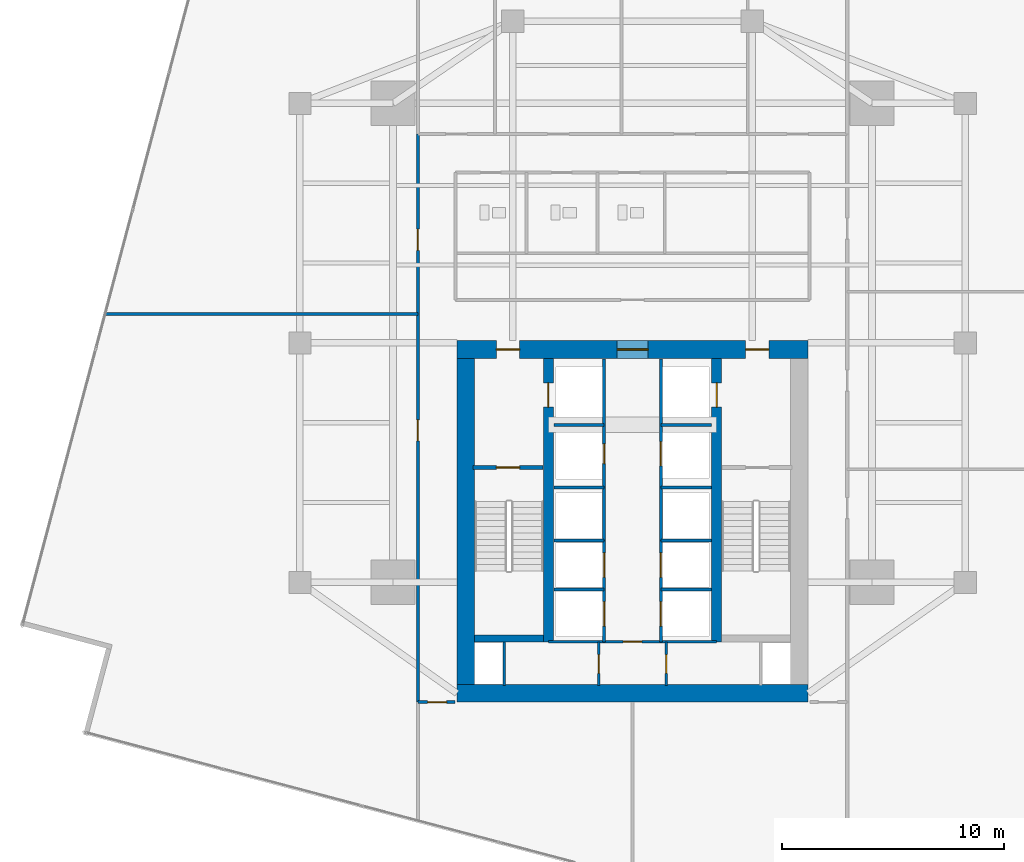
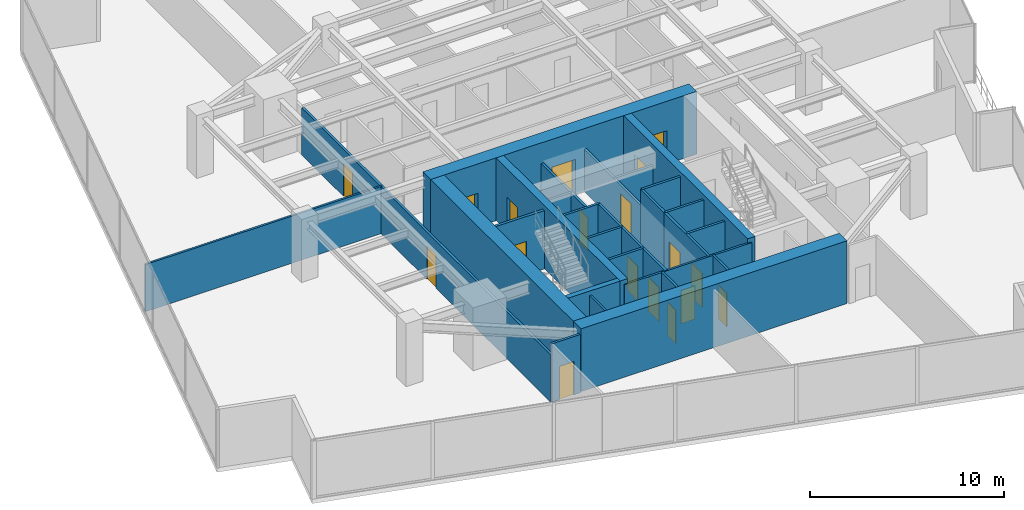
# One storey, part 23 of 27: 28 walls, 18 doors, 18 openings.
"""IFC4 building model written with IfcOpenShell, lengths in metres."""

from ifc_helpers import new_model, si_unit, direction, frame, frame_2d, origin, place, context, subcontext, project, spatial, rectangle, extrude, material, layer, layer_set, type_object, element, fill, save


model = new_model("IFC4")

# Units and contexts
model_context = context("Model", 3, precision=1e-05, world=origin(), true_north=direction((0.0, 1.0)))
body_context = subcontext(model_context, "Body", "Model", "MODEL_VIEW")
ifc_project = project(units=[si_unit("LENGTHUNIT", "METRE"), si_unit("AREAUNIT", "SQUARE_METRE"), si_unit("VOLUMEUNIT", "CUBIC_METRE"), si_unit("PLANEANGLEUNIT", "RADIAN"), si_unit("MASSUNIT", "GRAM", prefix="KILO")], contexts=[model_context])

# Site, building, storey
site_placement = place(None, origin())
site = spatial("IfcSite", under=ifc_project, at=site_placement, CompositionType="ELEMENT")
building_placement = place(site_placement, origin())
building = spatial("IfcBuilding", under=site, at=building_placement, Name="Krantzveldt Concourse Tower", CompositionType="ELEMENT")
storey_placement = place(building_placement, frame((0.0, 0.0, 105.85009765625)))
storey = spatial("IfcBuildingStorey", under=building, at=storey_placement, Name="L25", CompositionType="ELEMENT", Elevation=105.85009765625)

# Wall, opening, door
ifc_material_1 = material(Name="Fire-rated gypsum plasterboard on steel stud", Category="steel")
ifc_layer_1 = layer(ifc_material_1, 0.1201171875, Name="Fire-rated gypsum plasterboard on steel stud", Category="steel")
ifc_layer_set_1 = layer_set([ifc_layer_1], Name="Fire-rated gypsum plasterboard on steel stud (WL-PART-120)")
wall_type_1 = type_object("IfcWallType", Name="WL-PART-120", PredefinedType="PARTITIONING", material=ifc_layer_set_1)
wall_1_placement = place(storey_placement, frame((32.2099609375, 13.219970703125, 0.0), z_axis=(0.0, 0.0, 1.0), x_axis=(1.0, 0.0, 0.0)))
wall_1 = element("IfcWall", 1, at=wall_1_placement, inside=storey, type_object=wall_type_1, Name="WP-L25-CS2H", PredefinedType="PARTITIONING", context=body_context, shape_type="SweptSolid", body=[
    extrude(rectangle(XDim=7.580078125, YDim=0.1201171875, at=frame_2d((3.7900390625, 0.0))), origin(), (0.0, 0.0, 1.0), 3.669921875),
])
opening_1_placement = place(wall_1_placement, frame((3.364990234375, 0.0, 0.0)))
opening_1 = element("IfcOpeningElement", 2, at=opening_1_placement, cuts=wall_1, Name="Opening D-IN085", PredefinedType="OPENING", context=body_context, shape_type="SweptSolid", body=[
    extrude(rectangle(XDim=0.85009765625, YDim=2.10009765625, at=frame_2d((0.425048828125, 1.050048828125))), frame((0.0, 0.070068359375, 0.0), z_axis=(0.0, -1.0, 0.0), x_axis=(1.0, 0.0, 0.0)), (0.0, 0.0, 1.0), 0.14013671875),
])
ifc_material_2 = material(Name="Hardwood timber", Category="wood")
door_type_1 = type_object("IfcDoorType", Name="DR-INT-850", OperationType="SINGLE_SWING_LEFT", PredefinedType="DOOR", material=ifc_material_2)
door_1_placement = place(opening_1_placement, origin())
door_1 = element("IfcDoor", 3, at=door_1_placement, inside=storey, type_object=door_type_1, Name="DR-L25-LLBS", OperationType="SINGLE_SWING_RIGHT", OverallHeight=2.10009765625, OverallWidth=0.85009765625, PredefinedType="DOOR", context=body_context, shape_type="SweptSolid", body=[
    extrude(rectangle(XDim=0.85009765625, YDim=2.10009765625, at=frame_2d((0.425048828125, 1.050048828125))), frame((0.0, 0.02490234375, 0.0), z_axis=(0.0, -1.0, 0.0), x_axis=(1.0, 0.0, 0.0)), (0.0, 0.0, 1.0), 0.050048828125),
])
fill(opening_1, door_1)

wall_2_placement = place(storey_placement, frame((34.47998046875, 11.25, 0.0), z_axis=(0.0, 0.0, 1.0), x_axis=(0.0, 1.0, 0.0)))
wall_2 = element("IfcWall", 4, at=wall_2_placement, inside=storey, type_object=wall_type_1, Name="WP-L25-CSB-VL", PredefinedType="PARTITIONING", context=body_context, shape_type="SweptSolid", body=[
    extrude(rectangle(XDim=1.969970703125, YDim=0.1201171875, at=frame_2d((0.98486328125, 0.0))), origin(), (0.0, 0.0, 1.0), 3.669921875),
])
opening_2_placement = place(wall_2_placement, frame((0.544921875, 0.0, 0.0)))
opening_2 = element("IfcOpeningElement", 5, at=opening_2_placement, cuts=wall_2, Name="Opening D-IN085", PredefinedType="OPENING", context=body_context, shape_type="SweptSolid", body=[
    extrude(rectangle(XDim=0.85009765625, YDim=2.10009765625, at=frame_2d((0.425048828125, 1.050048828125))), frame((0.0, 0.070068359375, 0.0), z_axis=(0.0, -1.0, 0.0), x_axis=(1.0, 0.0, 0.0)), (0.0, 0.0, 1.0), 0.14013671875),
])
door_2_placement = place(opening_2_placement, origin())
door_2 = element("IfcDoor", 6, at=door_2_placement, inside=storey, type_object=door_type_1, Name="DR-L25-CSB1", OperationType="SINGLE_SWING_LEFT", OverallHeight=2.10009765625, OverallWidth=0.85009765625, PredefinedType="DOOR", context=body_context, shape_type="SweptSolid", body=[
    extrude(rectangle(XDim=0.85009765625, YDim=2.10009765625, at=frame_2d((0.425048828125, 1.050048828125))), frame((0.0, 0.02490234375, 0.0), z_axis=(0.0, -1.0, 0.0), x_axis=(1.0, 0.0, 0.0)), (0.0, 0.0, 1.0), 0.050048828125),
])
fill(opening_2, door_2)

wall_3_placement = place(storey_placement, frame((37.52001953125, 11.25, 0.0), z_axis=(0.0, 0.0, 1.0), x_axis=(0.0, 1.0, 0.0)))
wall_3 = element("IfcWall", 7, at=wall_3_placement, inside=storey, type_object=wall_type_1, Name="WP-L25-CSB-VR", PredefinedType="PARTITIONING", context=body_context, shape_type="SweptSolid", body=[
    extrude(rectangle(XDim=1.969970703125, YDim=0.1201171875, at=frame_2d((0.98486328125, 0.0))), origin(), (0.0, 0.0, 1.0), 3.669921875),
])
opening_3_placement = place(wall_3_placement, frame((0.544921875, 0.0, 0.0)))
opening_3 = element("IfcOpeningElement", 8, at=opening_3_placement, cuts=wall_3, Name="Opening D-IN085", PredefinedType="OPENING", context=body_context, shape_type="SweptSolid", body=[
    extrude(rectangle(XDim=0.85009765625, YDim=2.10009765625, at=frame_2d((0.425048828125, 1.050048828125))), frame((0.0, 0.070068359375, 0.0), z_axis=(0.0, -1.0, 0.0), x_axis=(1.0, 0.0, 0.0)), (0.0, 0.0, 1.0), 0.14013671875),
])
door_3_placement = place(opening_3_placement, origin())
door_3 = element("IfcDoor", 9, at=door_3_placement, inside=storey, type_object=door_type_1, Name="DR-L25-CSB2", OperationType="SINGLE_SWING_RIGHT", OverallHeight=2.10009765625, OverallWidth=0.85009765625, PredefinedType="DOOR", context=body_context, shape_type="SweptSolid", body=[
    extrude(rectangle(XDim=0.85009765625, YDim=2.10009765625, at=frame_2d((0.425048828125, 1.050048828125))), frame((0.0, 0.02490234375, 0.0), z_axis=(0.0, -1.0, 0.0), x_axis=(1.0, 0.0, 0.0)), (0.0, 0.0, 1.0), 0.050048828125),
])
fill(opening_3, door_3)

# Wall
wall_4_placement = place(storey_placement, frame((12.22705078125, 28.0, 0.0), z_axis=(0.0, 0.0, 1.0), x_axis=(1.0, 0.0, 0.0)))
element("IfcWall", 10, at=wall_4_placement, inside=storey, type_object=wall_type_1, Name="WP-L25-WD1", PredefinedType="PARTITIONING", context=body_context, shape_type="SweptSolid", body=[
    extrude(rectangle(XDim=14.093017578125, YDim=0.1201171875, at=frame_2d((7.04638671875, 0.0))), origin(), (0.0, 0.0, 1.0), 2.969970703125),
])

# Wall, openings, doors
ifc_layer_2 = layer(ifc_material_1, 0.139892578125, Name="Fire-rated gypsum plasterboard on steel stud", Category="steel")
ifc_layer_set_2 = layer_set([ifc_layer_2], Name="Fire-rated gypsum plasterboard on steel stud (WL-PART-140)")
wall_type_2 = type_object("IfcWallType", Name="WL-PART-140", PredefinedType="PARTITIONING", material=ifc_layer_set_2)
wall_5_placement = place(storey_placement, frame((26.320068359375, 10.5, 0.0), z_axis=(0.0, 0.0, 1.0), x_axis=(0.0, 1.0, 0.0)))
wall_5 = element("IfcWall", 11, at=wall_5_placement, inside=storey, type_object=wall_type_2, Name="WP-L25-CWEST", PredefinedType="PARTITIONING", context=body_context, shape_type="SweptSolid", body=[
    extrude(rectangle(XDim=25.6201171875, YDim=0.139892578125, at=frame_2d((12.81005859375, 0.0))), origin(), (0.0, 0.0, 1.0), 2.969970703125),
])
opening_4_placement = place(wall_5_placement, frame((11.77490234375, 0.0, 0.0)))
opening_4 = element("IfcOpeningElement", 12, at=opening_4_placement, cuts=wall_5, Name="Opening D-IN095", PredefinedType="OPENING", context=body_context, shape_type="SweptSolid", body=[
    extrude(rectangle(XDim=0.949951171875, YDim=2.10009765625, at=frame_2d((0.47509765625, 1.050048828125))), frame((0.0, 0.080078125, 0.0), z_axis=(0.0, -1.0, 0.0), x_axis=(1.0, 0.0, 0.0)), (0.0, 0.0, 1.0), 0.159912109375),
])
opening_5_placement = place(wall_5_placement, frame((20.375, 0.0, 0.0)))
opening_5 = element("IfcOpeningElement", 13, at=opening_5_placement, cuts=wall_5, Name="Opening D-IN095", PredefinedType="OPENING", context=body_context, shape_type="SweptSolid", body=[
    extrude(rectangle(XDim=0.949951171875, YDim=2.10009765625, at=frame_2d((0.47509765625, 1.050048828125))), frame((0.0, 0.080078125, 0.0), z_axis=(0.0, -1.0, 0.0), x_axis=(1.0, 0.0, 0.0)), (0.0, 0.0, 1.0), 0.159912109375),
])
door_type_2 = type_object("IfcDoorType", Name="DR-INT-950", OperationType="SINGLE_SWING_LEFT", PredefinedType="DOOR", material=ifc_material_2)
door_4_placement = place(opening_4_placement, origin())
door_4 = element("IfcDoor", 14, at=door_4_placement, inside=storey, type_object=door_type_2, Name="DR-L25-WR1", OperationType="SINGLE_SWING_LEFT", OverallHeight=2.10009765625, OverallWidth=0.949951171875, PredefinedType="DOOR", context=body_context, shape_type="SweptSolid", body=[
    extrude(rectangle(XDim=0.949951171875, YDim=2.10009765625, at=frame_2d((0.47509765625, 1.050048828125))), frame((0.0, 0.02490234375, 0.0), z_axis=(0.0, -1.0, 0.0), x_axis=(1.0, 0.0, 0.0)), (0.0, 0.0, 1.0), 0.050048828125),
])
fill(opening_4, door_4)
door_5_placement = place(opening_5_placement, origin())
door_5 = element("IfcDoor", 15, at=door_5_placement, inside=storey, type_object=door_type_2, Name="DR-L25-WR2", OperationType="SINGLE_SWING_LEFT", OverallHeight=2.10009765625, OverallWidth=0.949951171875, PredefinedType="DOOR", context=body_context, shape_type="SweptSolid", body=[
    extrude(rectangle(XDim=0.949951171875, YDim=2.10009765625, at=frame_2d((0.47509765625, 1.050048828125))), frame((0.0, 0.02490234375, 0.0), z_axis=(0.0, -1.0, 0.0), x_axis=(1.0, 0.0, 0.0)), (0.0, 0.0, 1.0), 0.050048828125),
])
fill(opening_5, door_5)

# Wall, opening, door
wall_6_placement = place(storey_placement, frame((26.320068359375, 10.5, 0.0), z_axis=(0.0, 0.0, 1.0), x_axis=(1.0, 0.0, 0.0)))
wall_6 = element("IfcWall", 16, at=wall_6_placement, inside=storey, type_object=wall_type_2, Name="WP-L25-CWBOT", PredefinedType="PARTITIONING", context=body_context, shape_type="SweptSolid", body=[
    extrude(rectangle(XDim=1.679931640625, YDim=0.139892578125, at=frame_2d((0.83984375, 0.0))), origin(), (0.0, 0.0, 1.0), 3.669921875),
])
opening_6_placement = place(wall_6_placement, frame((0.445068359375, 0.0, 0.0)))
opening_6 = element("IfcOpeningElement", 17, at=opening_6_placement, cuts=wall_6, Name="Opening D-IN085", PredefinedType="OPENING", context=body_context, shape_type="SweptSolid", body=[
    extrude(rectangle(XDim=0.85009765625, YDim=2.10009765625, at=frame_2d((0.425048828125, 1.050048828125))), frame((0.0, 0.080078125, 0.0), z_axis=(0.0, -1.0, 0.0), x_axis=(1.0, 0.0, 0.0)), (0.0, 0.0, 1.0), 0.159912109375),
])
door_6_placement = place(opening_6_placement, origin())
door_6 = element("IfcDoor", 18, at=door_6_placement, inside=storey, type_object=door_type_1, Name="DR-L25-SR1", OperationType="SINGLE_SWING_LEFT", OverallHeight=2.10009765625, OverallWidth=0.85009765625, PredefinedType="DOOR", context=body_context, shape_type="SweptSolid", body=[
    extrude(rectangle(XDim=0.85009765625, YDim=2.10009765625, at=frame_2d((0.425048828125, 1.050048828125))), frame((0.0, 0.02490234375, 0.0), z_axis=(0.0, -1.0, 0.0), x_axis=(1.0, 0.0, 0.0)), (0.0, 0.0, 1.0), 0.050048828125),
])
fill(opening_6, door_6)

ifc_layer_3 = layer(ifc_material_1, 0.139892578125, Name="Fire-rated gypsum plasterboard on steel stud", Category="steel")
ifc_layer_set_3 = layer_set([ifc_layer_3], Name="Fire-rated gypsum plasterboard on steel stud (WL-PART-FR140)")
wall_type_3 = type_object("IfcWallType", Name="WL-PART-FR140", PredefinedType="PARTITIONING", material=ifc_layer_set_3)
wall_7_placement = place(storey_placement, frame((34.719970703125, 20.199951171875, 0.0), z_axis=(0.0, 0.0, 1.0), x_axis=(0.0, 1.0, 0.0)))
wall_7 = element("IfcWall", 19, at=wall_7_placement, inside=storey, type_object=wall_type_3, Name="WP-L25-SHNW", PredefinedType="PARTITIONING", context=body_context, shape_type="SweptSolid", body=[
    extrude(rectangle(XDim=5.780029296875, YDim=0.139892578125, at=frame_2d((2.89013671875, 0.0))), origin(), (0.0, 0.0, 1.0), 2.669921875),
])
opening_7_placement = place(wall_7_placement, frame((1.050048828125, 0.0, 0.0)))
opening_7 = element("IfcOpeningElement", 20, at=opening_7_placement, cuts=wall_7, Name="Opening D-FD090", PredefinedType="OPENING", context=body_context, shape_type="SweptSolid", body=[
    extrude(rectangle(XDim=0.89990234375, YDim=2.10009765625, at=frame_2d((0.449951171875, 1.050048828125))), frame((0.0, 0.080078125, 0.0), z_axis=(0.0, -1.0, 0.0), x_axis=(1.0, 0.0, 0.0)), (0.0, 0.0, 1.0), 0.159912109375),
])
door_type_3 = type_object("IfcDoorType", Name="DR-FD60-900", OperationType="SINGLE_SWING_LEFT", PredefinedType="DOOR", material=ifc_material_2)
door_7_placement = place(opening_7_placement, origin())
door_7 = element("IfcDoor", 21, at=door_7_placement, inside=storey, type_object=door_type_3, Name="Electrical Riser Access Door L25", OperationType="SINGLE_SWING_LEFT", OverallHeight=2.10009765625, OverallWidth=0.89990234375, PredefinedType="DOOR", context=body_context, shape_type="SweptSolid", body=[
    extrude(rectangle(XDim=0.89990234375, YDim=2.10009765625, at=frame_2d((0.449951171875, 1.050048828125))), frame((0.0, 0.02490234375, 0.0), z_axis=(0.0, -1.0, 0.0), x_axis=(1.0, 0.0, 0.0)), (0.0, 0.0, 1.0), 0.050048828125),
])
fill(opening_7, door_7)

wall_8_placement = place(storey_placement, frame((37.280029296875, 20.199951171875, 0.0), z_axis=(0.0, 0.0, 1.0), x_axis=(0.0, 1.0, 0.0)))
wall_8 = element("IfcWall", 22, at=wall_8_placement, inside=storey, type_object=wall_type_3, Name="WP-L25-SHNE", PredefinedType="PARTITIONING", context=body_context, shape_type="SweptSolid", body=[
    extrude(rectangle(XDim=5.780029296875, YDim=0.139892578125, at=frame_2d((2.89013671875, 0.0))), origin(), (0.0, 0.0, 1.0), 2.669921875),
])
opening_8_placement = place(wall_8_placement, frame((0.949951171875, 0.0, 0.0)))
opening_8 = element("IfcOpeningElement", 23, at=opening_8_placement, cuts=wall_8, Name="Opening LD", PredefinedType="OPENING", context=body_context, shape_type="SweptSolid", body=[
    extrude(rectangle(XDim=1.10009765625, YDim=2.14990234375, at=frame_2d((0.550048828125, 1.074951171875))), frame((0.0, 0.080078125, 0.0), z_axis=(0.0, -1.0, 0.0), x_axis=(1.0, 0.0, 0.0)), (0.0, 0.0, 1.0), 0.159912109375),
])
ifc_material_3 = material(Name="Stainless steel 316L", Category="steel")
door_type_4 = type_object("IfcDoorType", Name="DR-SLIDE-LD1100", OperationType="DOUBLE_DOOR_SLIDING", PredefinedType="DOOR", material=ifc_material_3)
door_8_placement = place(opening_8_placement, origin())
door_8 = element("IfcDoor", 24, at=door_8_placement, inside=storey, type_object=door_type_4, Name="LD-L25-GL1", OperationType="DOUBLE_DOOR_SLIDING", OverallHeight=2.14990234375, OverallWidth=1.10009765625, PredefinedType="DOOR", context=body_context, shape_type="SweptSolid", body=[
    extrude(rectangle(XDim=1.10009765625, YDim=2.14990234375, at=frame_2d((0.550048828125, 1.074951171875))), frame((0.0, 0.02490234375, 0.0), z_axis=(0.0, -1.0, 0.0), x_axis=(1.0, 0.0, 0.0)), (0.0, 0.0, 1.0), 0.050048828125),
])
fill(opening_8, door_8)

# Walls
for number, where, z_axis, x_axis, name in (
    (25, (32.449951171875, 23.0, 0.0), (0.0, 0.0, 1.0), (1.0, 0.0, 0.0), "WP-L25-RISH"),
    (26, (37.280029296875, 23.0, 0.0), (0.0, 0.0, 1.0), (1.0, 0.0, 0.0), "WP-L25-GLH"),
):
    element("IfcWall", number, at=place(storey_placement, frame(where, z_axis=z_axis, x_axis=x_axis)), inside=storey, type_object=wall_type_3, Name=name, PredefinedType="PARTITIONING", context=body_context, shape_type="SweptSolid", body=[
        extrude(rectangle(XDim=2.27001953125, YDim=0.139892578125, at=frame_2d((1.135009765625, 0.0))), origin(), (0.0, 0.0, 1.0), 2.669921875),
    ])
for number, where, z_axis, x_axis, name in (
    (27, (34.719970703125, 17.780029296875, 0.0), (0.0, 0.0, 1.0), (0.0, 1.0, 0.0), "WP-L25-SHNW2"),
    (28, (37.280029296875, 17.780029296875, 0.0), (0.0, 0.0, 1.0), (0.0, 1.0, 0.0), "WP-L25-SHNE2"),
):
    element("IfcWall", number, at=place(storey_placement, frame(where, z_axis=z_axis, x_axis=x_axis)), inside=storey, type_object=wall_type_3, Name=name, PredefinedType="PARTITIONING", context=body_context, shape_type="SweptSolid", body=[
        extrude(rectangle(XDim=2.419921875, YDim=0.139892578125, at=frame_2d((1.2099609375, 0.0))), origin(), (0.0, 0.0, 1.0), 3.669921875),
    ])
for number, where, z_axis, x_axis, name in (
    (29, (32.449951171875, 17.780029296875, 0.0), (0.0, 0.0, 1.0), (1.0, 0.0, 0.0), "WP-L25-DIVW2"),
    (30, (32.449951171875, 20.179931640625, 0.0), (0.0, 0.0, 1.0), (1.0, 0.0, 0.0), "WP-L25-DIVW3"),
    (31, (37.280029296875, 17.780029296875, 0.0), (0.0, 0.0, 1.0), (1.0, 0.0, 0.0), "WP-L25-DIVE2"),
    (32, (37.280029296875, 20.179931640625, 0.0), (0.0, 0.0, 1.0), (1.0, 0.0, 0.0), "WP-L25-DIVE3"),
):
    element("IfcWall", number, at=place(storey_placement, frame(where, z_axis=z_axis, x_axis=x_axis)), inside=storey, type_object=wall_type_3, Name=name, PredefinedType="PARTITIONING", context=body_context, shape_type="SweptSolid", body=[
        extrude(rectangle(XDim=2.27001953125, YDim=0.139892578125, at=frame_2d((1.135009765625, 0.0))), origin(), (0.0, 0.0, 1.0), 3.669921875),
    ])

# Wall, openings, doors
wall_9_placement = place(storey_placement, frame((34.719970703125, 13.219970703125, 0.0), z_axis=(0.0, 0.0, 1.0), x_axis=(0.0, 1.0, 0.0)))
wall_9 = element("IfcWall", 33, at=wall_9_placement, inside=storey, type_object=wall_type_3, Name="WP-L25-SHSW", PredefinedType="PARTITIONING", context=body_context, shape_type="SweptSolid", body=[
    extrude(rectangle(XDim=4.56005859375, YDim=0.139892578125, at=frame_2d((2.280029296875, 0.0))), origin(), (0.0, 0.0, 1.0), 3.669921875),
])
opening_9_placement = place(wall_9_placement, frame((0.7099609375, 0.0, 0.0)))
opening_9 = element("IfcOpeningElement", 34, at=opening_9_placement, cuts=wall_9, Name="Opening LD", PredefinedType="OPENING", context=body_context, shape_type="SweptSolid", body=[
    extrude(rectangle(XDim=1.10009765625, YDim=2.14990234375, at=frame_2d((0.550048828125, 1.074951171875))), frame((0.0, 0.080078125, 0.0), z_axis=(0.0, -1.0, 0.0), x_axis=(1.0, 0.0, 0.0)), (0.0, 0.0, 1.0), 0.159912109375),
])
opening_10_placement = place(wall_9_placement, frame((2.909912109375, 0.0, 0.0)))
opening_10 = element("IfcOpeningElement", 35, at=opening_10_placement, cuts=wall_9, Name="Opening LD", PredefinedType="OPENING", context=body_context, shape_type="SweptSolid", body=[
    extrude(rectangle(XDim=1.10009765625, YDim=2.14990234375, at=frame_2d((0.550048828125, 1.074951171875))), frame((0.0, 0.080078125, 0.0), z_axis=(0.0, -1.0, 0.0), x_axis=(1.0, 0.0, 0.0)), (0.0, 0.0, 1.0), 0.159912109375),
])
door_9_placement = place(opening_9_placement, origin())
door_9 = element("IfcDoor", 36, at=door_9_placement, inside=storey, type_object=door_type_4, Name="LD-L25-PL1", OperationType="DOUBLE_DOOR_SLIDING", OverallHeight=2.14990234375, OverallWidth=1.10009765625, PredefinedType="DOOR", context=body_context, shape_type="SweptSolid", body=[
    extrude(rectangle(XDim=1.10009765625, YDim=2.14990234375, at=frame_2d((0.550048828125, 1.074951171875))), frame((0.0, 0.02490234375, 0.0), z_axis=(0.0, -1.0, 0.0), x_axis=(1.0, 0.0, 0.0)), (0.0, 0.0, 1.0), 0.050048828125),
])
fill(opening_9, door_9)
door_10_placement = place(opening_10_placement, origin())
door_10 = element("IfcDoor", 37, at=door_10_placement, inside=storey, type_object=door_type_4, Name="LD-L25-PL2", OperationType="DOUBLE_DOOR_SLIDING", OverallHeight=2.14990234375, OverallWidth=1.10009765625, PredefinedType="DOOR", context=body_context, shape_type="SweptSolid", body=[
    extrude(rectangle(XDim=1.10009765625, YDim=2.14990234375, at=frame_2d((0.550048828125, 1.074951171875))), frame((0.0, 0.02490234375, 0.0), z_axis=(0.0, -1.0, 0.0), x_axis=(1.0, 0.0, 0.0)), (0.0, 0.0, 1.0), 0.050048828125),
])
fill(opening_10, door_10)

# Wall
wall_10_placement = place(storey_placement, frame((32.449951171875, 15.580078125, 0.0), z_axis=(0.0, 0.0, 1.0), x_axis=(1.0, 0.0, 0.0)))
element("IfcWall", 38, at=wall_10_placement, inside=storey, type_object=wall_type_3, Name="WP-L25-DIVW1", PredefinedType="PARTITIONING", context=body_context, shape_type="SweptSolid", body=[
    extrude(rectangle(XDim=2.27001953125, YDim=0.139892578125, at=frame_2d((1.135009765625, 0.0))), origin(), (0.0, 0.0, 1.0), 3.669921875),
])

# Wall, openings, doors
wall_11_placement = place(storey_placement, frame((37.280029296875, 13.219970703125, 0.0), z_axis=(0.0, 0.0, 1.0), x_axis=(0.0, 1.0, 0.0)))
wall_11 = element("IfcWall", 39, at=wall_11_placement, inside=storey, type_object=wall_type_3, Name="WP-L25-SHSE", PredefinedType="PARTITIONING", context=body_context, shape_type="SweptSolid", body=[
    extrude(rectangle(XDim=4.56005859375, YDim=0.139892578125, at=frame_2d((2.280029296875, 0.0))), origin(), (0.0, 0.0, 1.0), 3.669921875),
])
opening_11_placement = place(wall_11_placement, frame((0.7099609375, 0.0, 0.0)))
opening_11 = element("IfcOpeningElement", 40, at=opening_11_placement, cuts=wall_11, Name="Opening LD", PredefinedType="OPENING", context=body_context, shape_type="SweptSolid", body=[
    extrude(rectangle(XDim=1.10009765625, YDim=2.14990234375, at=frame_2d((0.550048828125, 1.074951171875))), frame((0.0, 0.080078125, 0.0), z_axis=(0.0, -1.0, 0.0), x_axis=(1.0, 0.0, 0.0)), (0.0, 0.0, 1.0), 0.159912109375),
])
opening_12_placement = place(wall_11_placement, frame((2.909912109375, 0.0, 0.0)))
opening_12 = element("IfcOpeningElement", 41, at=opening_12_placement, cuts=wall_11, Name="Opening LD", PredefinedType="OPENING", context=body_context, shape_type="SweptSolid", body=[
    extrude(rectangle(XDim=1.10009765625, YDim=2.14990234375, at=frame_2d((0.550048828125, 1.074951171875))), frame((0.0, 0.080078125, 0.0), z_axis=(0.0, -1.0, 0.0), x_axis=(1.0, 0.0, 0.0)), (0.0, 0.0, 1.0), 0.159912109375),
])
door_11_placement = place(opening_11_placement, origin())
door_11 = element("IfcDoor", 42, at=door_11_placement, inside=storey, type_object=door_type_4, Name="LD-L25-PM1", OperationType="DOUBLE_DOOR_SLIDING", OverallHeight=2.14990234375, OverallWidth=1.10009765625, PredefinedType="DOOR", context=body_context, shape_type="SweptSolid", body=[
    extrude(rectangle(XDim=1.10009765625, YDim=2.14990234375, at=frame_2d((0.550048828125, 1.074951171875))), frame((0.0, 0.02490234375, 0.0), z_axis=(0.0, -1.0, 0.0), x_axis=(1.0, 0.0, 0.0)), (0.0, 0.0, 1.0), 0.050048828125),
])
fill(opening_11, door_11)
door_12_placement = place(opening_12_placement, origin())
door_12 = element("IfcDoor", 43, at=door_12_placement, inside=storey, type_object=door_type_4, Name="LD-L25-PM2", OperationType="DOUBLE_DOOR_SLIDING", OverallHeight=2.14990234375, OverallWidth=1.10009765625, PredefinedType="DOOR", context=body_context, shape_type="SweptSolid", body=[
    extrude(rectangle(XDim=1.10009765625, YDim=2.14990234375, at=frame_2d((0.550048828125, 1.074951171875))), frame((0.0, 0.02490234375, 0.0), z_axis=(0.0, -1.0, 0.0), x_axis=(1.0, 0.0, 0.0)), (0.0, 0.0, 1.0), 0.050048828125),
])
fill(opening_12, door_12)

# Walls
wall_12_placement = place(storey_placement, frame((37.280029296875, 15.580078125, 0.0), z_axis=(0.0, 0.0, 1.0), x_axis=(1.0, 0.0, 0.0)))
element("IfcWall", 44, at=wall_12_placement, inside=storey, type_object=wall_type_3, Name="WP-L25-DIVE1", PredefinedType="PARTITIONING", context=body_context, shape_type="SweptSolid", body=[
    extrude(rectangle(XDim=2.27001953125, YDim=0.139892578125, at=frame_2d((1.135009765625, 0.0))), origin(), (0.0, 0.0, 1.0), 3.669921875),
])
wall_13_placement = place(storey_placement, frame((30.219970703125, 11.25, 0.0), z_axis=(0.0, 0.0, 1.0), x_axis=(0.0, 1.0, 0.0)))
element("IfcWall", 45, at=wall_13_placement, inside=storey, type_object=wall_type_3, Name="WP-L25-RSW", PredefinedType="PARTITIONING", context=body_context, shape_type="SweptSolid", body=[
    extrude(rectangle(XDim=1.969970703125, YDim=0.1201171875, at=frame_2d((0.98486328125, 0.0))), origin(), (0.0, 0.0, 1.0), 3.669921875),
])

# Wall, opening, door
ifc_layer_4 = layer(ifc_material_1, 0.159912109375, Name="Fire-rated gypsum plasterboard on steel stud", Category="steel")
ifc_layer_set_4 = layer_set([ifc_layer_4], Name="Fire-rated gypsum plasterboard on steel stud (WL-PART-FR160)")
wall_type_4 = type_object("IfcWallType", Name="WL-PART-FR160", PredefinedType="PARTITIONING", material=ifc_layer_set_4)
wall_14_placement = place(storey_placement, frame((28.800048828125, 21.080078125, 0.0), z_axis=(0.0, 0.0, 1.0), x_axis=(1.0, 0.0, 0.0)))
wall_14 = element("IfcWall", 46, at=wall_14_placement, inside=storey, type_object=wall_type_4, Name="WP-L25-ST1", PredefinedType="PARTITIONING", context=body_context, shape_type="SweptSolid", body=[
    extrude(rectangle(XDim=3.159912109375, YDim=0.159912109375, at=frame_2d((1.580078125, 0.0))), origin(), (0.0, 0.0, 1.0), 3.669921875),
])
opening_13_placement = place(wall_14_placement, frame((1.054931640625, 0.0, 0.0)))
opening_13 = element("IfcOpeningElement", 47, at=opening_13_placement, cuts=wall_14, Name="Opening D-FD105", PredefinedType="OPENING", context=body_context, shape_type="SweptSolid", body=[
    extrude(rectangle(XDim=1.050048828125, YDim=2.10009765625, at=frame_2d((0.52490234375, 1.050048828125))), frame((0.0, 0.08984375, 0.0), z_axis=(0.0, -1.0, 0.0), x_axis=(1.0, 0.0, 0.0)), (0.0, 0.0, 1.0), 0.179931640625),
])
ifc_material_4 = material(Name="Galvanised steel", Category="steel")
door_type_5 = type_object("IfcDoorType", Name="DR-FD120-1050", OperationType="SINGLE_SWING_LEFT", PredefinedType="DOOR", material=ifc_material_4)
door_13_placement = place(opening_13_placement, origin())
door_13 = element("IfcDoor", 48, at=door_13_placement, inside=storey, type_object=door_type_5, Name="DR-L25-ST1", OperationType="SINGLE_SWING_RIGHT", OverallHeight=2.10009765625, OverallWidth=1.050048828125, PredefinedType="DOOR", context=body_context, shape_type="SweptSolid", body=[
    extrude(rectangle(XDim=1.050048828125, YDim=2.10009765625, at=frame_2d((0.52490234375, 1.050048828125))), frame((0.0, 0.02490234375, 0.0), z_axis=(0.0, -1.0, 0.0), x_axis=(1.0, 0.0, 0.0)), (0.0, 0.0, 1.0), 0.050048828125),
])
fill(opening_13, door_13)

# Wall
ifc_material_5 = material(Name="Concrete C50/60", Category="concrete")
ifc_layer_5 = layer(ifc_material_5, 0.300048828125, Name="Concrete C50/60", Category="concrete")
ifc_layer_set_5 = layer_set([ifc_layer_5], Name="Concrete C50/60 (WL-SHEAR-300)")
wall_type_5 = type_object("IfcWallType", Name="WL-SHEAR-300", PredefinedType="SHEAR", material=ifc_layer_set_5)
wall_15_placement = place(storey_placement, frame((28.8798828125, 13.3701171875, 0.0), z_axis=(0.0, 0.0, 1.0), x_axis=(1.0, 0.0, 0.0)))
element("IfcWall", 49, at=wall_15_placement, inside=storey, type_object=wall_type_5, Name="CW-L25-ST1S", PredefinedType="SHEAR", context=body_context, shape_type="SweptSolid", body=[
    extrude(rectangle(XDim=3.10009765625, YDim=0.300048828125, at=frame_2d((1.550048828125, 0.0))), origin(), (0.0, 0.0, 1.0), 3.949951171875),
])

# Wall, opening, door
ifc_layer_6 = layer(ifc_material_5, 0.449951171875, Name="Concrete C50/60", Category="concrete")
ifc_layer_set_6 = layer_set([ifc_layer_6], Name="Concrete C50/60 (WL-SHEAR-450)")
wall_type_6 = type_object("IfcWallType", Name="WL-SHEAR-450", PredefinedType="SHEAR", material=ifc_layer_set_6)
wall_16_placement = place(storey_placement, frame((32.205078125, 13.219970703125, 0.0), z_axis=(0.0, 0.0, 1.0), x_axis=(0.0, 1.0, 0.0)))
wall_16 = element("IfcWall", 50, at=wall_16_placement, inside=storey, type_object=wall_type_6, Name="CW-L25-IW", PredefinedType="SHEAR", context=body_context, shape_type="SweptSolid", body=[
    extrude(rectangle(XDim=12.780029296875, YDim=0.449951171875, at=frame_2d((6.39013671875, 0.0))), origin(), (0.0, 0.0, 1.0), 3.949951171875),
])
opening_14_placement = place(wall_16_placement, frame((10.580078125, 0.0, 0.0)))
opening_14 = element("IfcOpeningElement", 51, at=opening_14_placement, cuts=wall_16, Name="Opening LD", PredefinedType="OPENING", context=body_context, shape_type="SweptSolid", body=[
    extrude(rectangle(XDim=1.10009765625, YDim=2.14990234375, at=frame_2d((0.550048828125, 1.074951171875))), frame((0.0, 0.23486328125, 0.0), z_axis=(0.0, -1.0, 0.0), x_axis=(1.0, 0.0, 0.0)), (0.0, 0.0, 1.0), 0.469970703125),
])
door_14_placement = place(opening_14_placement, origin())
door_14 = element("IfcDoor", 52, at=door_14_placement, inside=storey, type_object=door_type_4, Name="LD-L25-FL1", OperationType="DOUBLE_DOOR_SLIDING", OverallHeight=2.14990234375, OverallWidth=1.10009765625, PredefinedType="DOOR", context=body_context, shape_type="SweptSolid", body=[
    extrude(rectangle(XDim=1.10009765625, YDim=2.14990234375, at=frame_2d((0.550048828125, 1.074951171875))), frame((0.0, 0.02490234375, 0.0), z_axis=(0.0, -1.0, 0.0), x_axis=(1.0, 0.0, 0.0)), (0.0, 0.0, 1.0), 0.050048828125),
])
fill(opening_14, door_14)

wall_17_placement = place(storey_placement, frame((39.794921875, 13.219970703125, 0.0), z_axis=(0.0, 0.0, 1.0), x_axis=(0.0, 1.0, 0.0)))
wall_17 = element("IfcWall", 53, at=wall_17_placement, inside=storey, type_object=wall_type_6, Name="CW-L25-IE", PredefinedType="SHEAR", context=body_context, shape_type="SweptSolid", body=[
    extrude(rectangle(XDim=12.780029296875, YDim=0.449951171875, at=frame_2d((6.39013671875, 0.0))), origin(), (0.0, 0.0, 1.0), 3.949951171875),
])
opening_15_placement = place(wall_17_placement, frame((10.580078125, 0.0, 0.0)))
opening_15 = element("IfcOpeningElement", 54, at=opening_15_placement, cuts=wall_17, Name="Opening LD", PredefinedType="OPENING", context=body_context, shape_type="SweptSolid", body=[
    extrude(rectangle(XDim=1.10009765625, YDim=2.14990234375, at=frame_2d((0.550048828125, 1.074951171875))), frame((0.0, 0.23486328125, 0.0), z_axis=(0.0, -1.0, 0.0), x_axis=(1.0, 0.0, 0.0)), (0.0, 0.0, 1.0), 0.469970703125),
])
door_15_placement = place(opening_15_placement, origin())
door_15 = element("IfcDoor", 55, at=door_15_placement, inside=storey, type_object=door_type_4, Name="LD-L25-FL2", OperationType="DOUBLE_DOOR_SLIDING", OverallHeight=2.14990234375, OverallWidth=1.10009765625, PredefinedType="DOOR", context=body_context, shape_type="SweptSolid", body=[
    extrude(rectangle(XDim=1.10009765625, YDim=2.14990234375, at=frame_2d((0.550048828125, 1.074951171875))), frame((0.0, 0.02490234375, 0.0), z_axis=(0.0, -1.0, 0.0), x_axis=(1.0, 0.0, 0.0)), (0.0, 0.0, 1.0), 0.050048828125),
])
fill(opening_15, door_15)

# Wall
ifc_material_6 = material(Name="Concrete C60/75", Category="concrete")
ifc_layer_7 = layer(ifc_material_6, 0.800048828125, Name="Concrete C60/75", Category="concrete")
ifc_layer_set_7 = layer_set([ifc_layer_7], Name="Concrete C60/75 (WL-SHEAR-800)")
wall_type_7 = type_object("IfcWallType", Name="WL-SHEAR-800", PredefinedType="SHEAR", material=ifc_layer_set_7)
wall_18_placement = place(storey_placement, frame((28.080078125, 10.89990234375, 0.0), z_axis=(0.0, 0.0, 1.0), x_axis=(1.0, 0.0, 0.0)))
element("IfcWall", 56, at=wall_18_placement, inside=storey, type_object=wall_type_7, Name="CW-L25-S", PredefinedType="SHEAR", context=body_context, shape_type="SweptSolid", body=[
    extrude(rectangle(XDim=15.83984375, YDim=0.800048828125, at=frame_2d((7.919921875, 0.0))), origin(), (0.0, 0.0, 1.0), 3.949951171875),
])

# Wall, openings, doors
wall_19_placement = place(storey_placement, frame((28.080078125, 26.39990234375, 0.0), z_axis=(0.0, 0.0, 1.0), x_axis=(1.0, 0.0, 0.0)))
wall_19 = element("IfcWall", 57, at=wall_19_placement, inside=storey, type_object=wall_type_7, Name="CW-L25-N", PredefinedType="SHEAR", context=body_context, shape_type="SweptSolid", body=[
    extrude(rectangle(XDim=15.83984375, YDim=0.800048828125, at=frame_2d((7.919921875, 0.0))), origin(), (0.0, 0.0, 1.0), 3.949951171875),
])
opening_16_placement = place(wall_19_placement, frame((7.219970703125, 0.0, 0.0)))
opening_16 = element("IfcOpeningElement", 58, at=opening_16_placement, cuts=wall_19, Name="Opening D-DB140", PredefinedType="OPENING", context=body_context, shape_type="SweptSolid", body=[
    extrude(rectangle(XDim=1.39990234375, YDim=2.199951171875, at=frame_2d((0.699951171875, 1.10009765625))), frame((0.0, 0.41015625, 0.0), z_axis=(0.0, -1.0, 0.0), x_axis=(1.0, 0.0, 0.0)), (0.0, 0.0, 1.0), 0.820068359375),
])
opening_17_placement = place(wall_19_placement, frame((1.77490234375, 0.0, 0.0)))
opening_17 = element("IfcOpeningElement", 59, at=opening_17_placement, cuts=wall_19, Name="Opening D-FD105", PredefinedType="OPENING", context=body_context, shape_type="SweptSolid", body=[
    extrude(rectangle(XDim=1.050048828125, YDim=2.10009765625, at=frame_2d((0.52490234375, 1.050048828125))), frame((0.0, 0.41015625, 0.0), z_axis=(0.0, -1.0, 0.0), x_axis=(1.0, 0.0, 0.0)), (0.0, 0.0, 1.0), 0.820068359375),
])
opening_18_placement = place(wall_19_placement, frame((13.014892578125, 0.0, 0.0)))
opening_18 = element("IfcOpeningElement", 60, at=opening_18_placement, cuts=wall_19, Name="Opening D-FD105", PredefinedType="OPENING", context=body_context, shape_type="SweptSolid", body=[
    extrude(rectangle(XDim=1.050048828125, YDim=2.10009765625, at=frame_2d((0.52490234375, 1.050048828125))), frame((0.0, 0.41015625, 0.0), z_axis=(0.0, -1.0, 0.0), x_axis=(1.0, 0.0, 0.0)), (0.0, 0.0, 1.0), 0.820068359375),
])
ifc_material_7 = material(Name="Anodised aluminium 6063-T6", Category="aluminium")
door_type_6 = type_object("IfcDoorType", Name="DR-DBL-1400", OperationType="DOUBLE_DOOR_SINGLE_SWING", PredefinedType="DOOR", material=ifc_material_7)
door_16_placement = place(opening_16_placement, origin())
door_16 = element("IfcDoor", 61, at=door_16_placement, inside=storey, type_object=door_type_6, Name="DR-L25-LLB", OperationType="DOUBLE_DOOR_SINGLE_SWING", OverallHeight=2.199951171875, OverallWidth=1.39990234375, PredefinedType="DOOR", context=body_context, shape_type="SweptSolid", body=[
    extrude(rectangle(XDim=1.39990234375, YDim=2.199951171875, at=frame_2d((0.699951171875, 1.10009765625))), frame((0.0, 0.02490234375, 0.0), z_axis=(0.0, -1.0, 0.0), x_axis=(1.0, 0.0, 0.0)), (0.0, 0.0, 1.0), 0.050048828125),
])
fill(opening_16, door_16)
door_17_placement = place(opening_17_placement, origin())
door_17 = element("IfcDoor", 62, at=door_17_placement, inside=storey, type_object=door_type_5, Name="DR-L25-FFL1", OperationType="SINGLE_SWING_LEFT", OverallHeight=2.10009765625, OverallWidth=1.050048828125, PredefinedType="DOOR", context=body_context, shape_type="SweptSolid", body=[
    extrude(rectangle(XDim=1.050048828125, YDim=2.10009765625, at=frame_2d((0.52490234375, 1.050048828125))), frame((0.0, 0.02490234375, 0.0), z_axis=(0.0, -1.0, 0.0), x_axis=(1.0, 0.0, 0.0)), (0.0, 0.0, 1.0), 0.050048828125),
])
fill(opening_17, door_17)
door_18_placement = place(opening_18_placement, origin())
door_18 = element("IfcDoor", 63, at=door_18_placement, inside=storey, type_object=door_type_5, Name="DR-L25-FFL2", OperationType="SINGLE_SWING_RIGHT", OverallHeight=2.10009765625, OverallWidth=1.050048828125, PredefinedType="DOOR", context=body_context, shape_type="SweptSolid", body=[
    extrude(rectangle(XDim=1.050048828125, YDim=2.10009765625, at=frame_2d((0.52490234375, 1.050048828125))), frame((0.0, 0.02490234375, 0.0), z_axis=(0.0, -1.0, 0.0), x_axis=(1.0, 0.0, 0.0)), (0.0, 0.0, 1.0), 0.050048828125),
])
fill(opening_18, door_18)

# Wall
wall_20_placement = place(storey_placement, frame((28.47998046875, 11.300048828125, 0.0), z_axis=(0.0, 0.0, 1.0), x_axis=(0.0, 1.0, 0.0)))
element("IfcWall", 64, at=wall_20_placement, inside=storey, type_object=wall_type_7, Name="CW-L25-W", PredefinedType="SHEAR", context=body_context, shape_type="SweptSolid", body=[
    extrude(rectangle(XDim=14.699951171875, YDim=0.800048828125, at=frame_2d((7.35009765625, 0.0))), origin(), (0.0, 0.0, 1.0), 3.949951171875),
])

save(model, "model.ifc")
